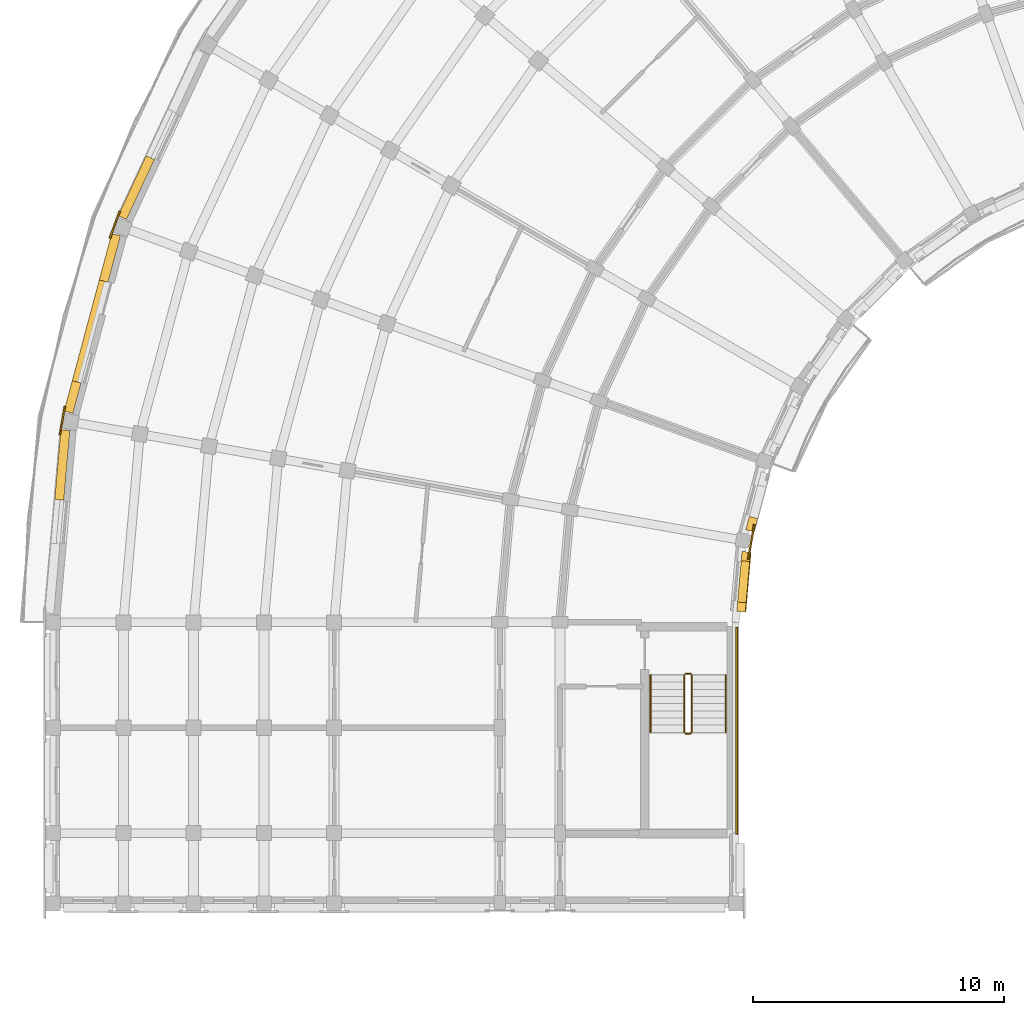
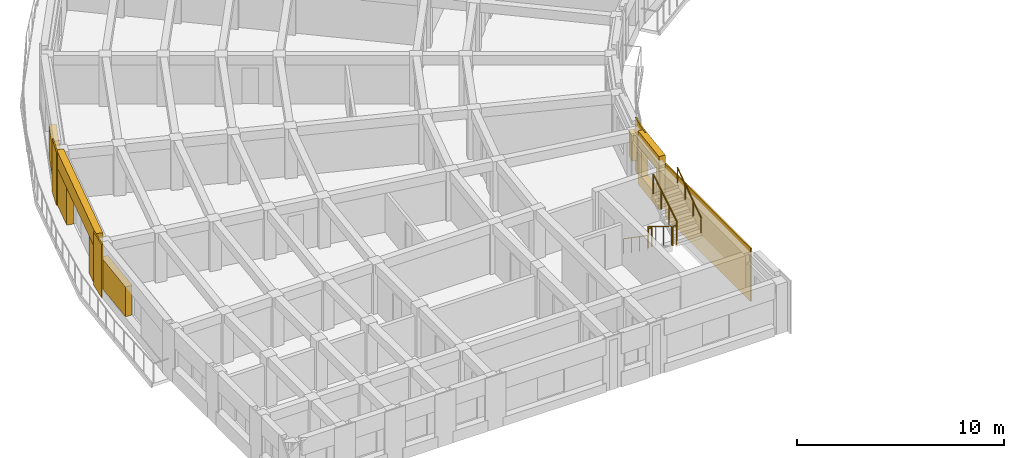
# One storey, part 31 of 41: 14 coverings, 6 railings.
"""IFC4 building model written with IfcOpenShell, lengths in metres."""

from ifc_helpers import new_model, si_unit, direction, frame, origin, origin_2d, place, context, subcontext, project, spatial, polyline, circle, outline, extrude, material, layer, layer_set, type_object, element, save


model = new_model("IFC4")

# Units and contexts
model_context = context("Model", 3, precision=1e-05, world=origin(), true_north=direction((0.0, 1.0)))
body_context = subcontext(model_context, "Body", "Model", "MODEL_VIEW")
ifc_project = project(units=[si_unit("LENGTHUNIT", "METRE"), si_unit("AREAUNIT", "SQUARE_METRE"), si_unit("VOLUMEUNIT", "CUBIC_METRE"), si_unit("PLANEANGLEUNIT", "RADIAN"), si_unit("MASSUNIT", "GRAM", prefix="KILO")], contexts=[model_context])

# Site, building, storey
site_placement = place(None, origin())
site = spatial("IfcSite", under=ifc_project, at=site_placement, CompositionType="ELEMENT")
building_placement = place(site_placement, origin())
building = spatial("IfcBuilding", under=site, at=building_placement, Name="Kiranvali Square Residences", CompositionType="ELEMENT")
storey_placement = place(building_placement, frame((0.0, 0.0, 33.89990234375)))
storey = spatial("IfcBuildingStorey", under=building, at=storey_placement, Name="L10", CompositionType="ELEMENT", Elevation=33.89990234375)

# Coverings
ifc_material_1 = material(Name="Honed Porbandar limestone ashlar facade cladding", Category="masonry")
ifc_layer_1 = layer(ifc_material_1, 0.3798828125)
ifc_layer_set_1 = layer_set([ifc_layer_1], Name="Honed Porbandar limestone ashlar facade cladding")
covering_type_1 = type_object("IfcCoveringType", Name="COV-CLAD-JAMB", PredefinedType="CLADDING", material=ifc_layer_set_1)
covering_1_placement = place(storey_placement, frame((0.0, 0.0, 0.422119140625)))
element("IfcCovering", 1, at=covering_1_placement, inside=storey, type_object=covering_type_1, Name="L10 deep limestone window jamb reveal A-L10-CRV-06.R", PredefinedType="CLADDING", context=body_context, shape_type="SweptSolid", body=[
    extrude(outline(polyline([(5.908935546875, 106.3896484375), (4.7958984375, 104.002197265625), (5.12158203125, 103.850341796875), (6.23486328125, 106.23779296875), (5.908935546875, 106.3896484375)])), origin(), (0.0, 0.0, 1.0), 1.85009765625),
])
covering_2_placement = place(storey_placement, origin())
element("IfcCovering", 2, at=covering_2_placement, inside=storey, type_object=covering_type_1, Name="L10 deep limestone window jamb reveal A-L10-CRV-07.L", PredefinedType="CLADDING", context=body_context, shape_type="SweptSolid", body=[
    extrude(outline(polyline([(4.535888671875, 103.2880859375), (4.041015625, 101.441650390625), (4.388427734375, 101.3486328125), (4.883056640625, 103.195068359375), (4.535888671875, 103.2880859375)])), origin(), (0.0, 0.0, 1.0), 2.18017578125),
])
covering_3_placement = place(storey_placement, origin())
element("IfcCovering", 3, at=covering_3_placement, inside=storey, type_object=covering_type_1, Name="L10 deep limestone window jamb reveal A-L10-CRV-07.R", PredefinedType="CLADDING", context=body_context, shape_type="SweptSolid", body=[
    extrude(outline(polyline([(2.9658203125, 97.42919921875), (2.6416015625, 96.218994140625), (2.989013671875, 96.1259765625), (3.313232421875, 97.336181640625), (2.9658203125, 97.42919921875)])), origin(), (0.0, 0.0, 1.0), 2.18017578125),
])
covering_4_placement = place(storey_placement, frame((0.0, 0.0, 0.522216796875)))
element("IfcCovering", 4, at=covering_4_placement, inside=storey, type_object=covering_type_1, Name="L10 deep limestone window jamb reveal A-L10-CRV-08.L", PredefinedType="CLADDING", context=body_context, shape_type="SweptSolid", body=[
    extrude(outline(polyline([(2.509765625, 95.470458984375), (2.26708984375, 92.697021484375), (2.625244140625, 92.66552734375), (2.867919921875, 95.439208984375), (2.509765625, 95.470458984375)])), origin(), (0.0, 0.0, 1.0), 1.75),
])
covering_5_placement = place(storey_placement, frame((0.0, 0.0, 0.772216796875)))
element("IfcCovering", 5, at=covering_5_placement, inside=storey, type_object=covering_type_1, Name="L10 deep limestone window jamb reveal A-L10-GDN-07.R", PredefinedType="CLADDING", context=body_context, shape_type="SweptSolid", body=[
    extrude(outline(polyline([(29.94189453125, 92.019287109375), (29.800048828125, 91.489501953125), (30.1279296875, 91.401611328125), (30.269775390625, 91.931396484375), (29.94189453125, 92.019287109375)])), origin(), (0.0, 0.0, 1.0), 1.5),
])
covering_6_placement = place(storey_placement, frame((0.0, 0.0, 0.672119140625)))
element("IfcCovering", 6, at=covering_6_placement, inside=storey, type_object=covering_type_1, Name="L10 deep limestone window jamb reveal A-L10-GDN-08.L", PredefinedType="CLADDING", context=body_context, shape_type="SweptSolid", body=[
    extrude(outline(polyline([(29.647705078125, 90.626220703125), (29.615234375, 90.254150390625), (29.953369140625, 90.224609375), (29.986083984375, 90.5966796875), (29.647705078125, 90.626220703125)])), origin(), (0.0, 0.0, 1.0), 1.60009765625),
])
covering_7_placement = place(storey_placement, frame((0.0, 0.0, 0.672119140625)))
element("IfcCovering", 7, at=covering_7_placement, inside=storey, type_object=covering_type_1, Name="L10 deep limestone window jamb reveal A-L10-GDN-08.R", PredefinedType="CLADDING", context=body_context, shape_type="SweptSolid", body=[
    extrude(outline(polyline([(29.471435546875, 88.6103515625), (29.43896484375, 88.23828125), (29.777099609375, 88.208740234375), (29.8095703125, 88.580810546875), (29.471435546875, 88.6103515625)])), origin(), (0.0, 0.0, 1.0), 1.60009765625),
])
ifc_layer_2 = layer(ifc_material_1, 0.06494140625)
ifc_layer_set_2 = layer_set([ifc_layer_2], Name="Honed Porbandar limestone ashlar facade cladding")
covering_type_2 = type_object("IfcCoveringType", Name="COV-CLAD-PIER", PredefinedType="CLADDING", material=ifc_layer_set_2)
covering_8_placement = place(storey_placement, frame((0.0, 0.0, 0.005126953125)))
element("IfcCovering", 8, at=covering_8_placement, inside=storey, type_object=covering_type_2, Name="L10 Classical limestone corner pilaster CLAD-PR-A-L10-A07", PredefinedType="CLADDING", context=body_context, shape_type="SweptSolid", body=[
    extrude(outline(polyline([(4.82666015625, 104.203857421875), (4.429931640625, 103.11376953125), (4.493408203125, 103.090576171875), (4.89013671875, 104.1806640625), (4.82666015625, 104.203857421875)])), origin(), (0.0, 0.0, 1.0), 3.139892578125),
])
covering_9_placement = place(storey_placement, frame((0.0, 0.0, 0.005126953125)))
element("IfcCovering", 9, at=covering_9_placement, inside=storey, type_object=covering_type_2, Name="L10 Classical limestone corner pilaster CLAD-PR-A-L10-A08", PredefinedType="CLADDING", context=body_context, shape_type="SweptSolid", body=[
    extrude(outline(polyline([(2.63720703125, 96.4228515625), (2.435791015625, 95.280517578125), (2.502197265625, 95.268798828125), (2.70361328125, 96.4111328125), (2.63720703125, 96.4228515625)])), origin(), (0.0, 0.0, 1.0), 3.139892578125),
])
covering_10_placement = place(storey_placement, frame((0.0, 0.0, 0.005126953125)))
element("IfcCovering", 10, at=covering_10_placement, inside=storey, type_object=covering_type_2, Name="Block A L10 Arm 2 stair limestone ashlar cladding", PredefinedType="CLADDING", context=body_context, shape_type="SweptSolid", body=[
    extrude(outline(polyline([(29.402099609375, 87.60009765625), (29.402099609375, 79.35009765625), (29.47998046875, 79.35009765625), (29.47998046875, 87.60009765625), (29.402099609375, 87.60009765625)])), origin(), (0.0, 0.0, 1.0), 3.139892578125),
])
ifc_layer_3 = layer(ifc_material_1, 0.050048828125)
ifc_layer_set_3 = layer_set([ifc_layer_3], Name="Honed Porbandar limestone ashlar facade cladding")
covering_type_3 = type_object("IfcCoveringType", Name="COV-CLAD-PIER-IN", PredefinedType="CLADDING", material=ifc_layer_set_3)
covering_11_placement = place(storey_placement, frame((0.0, 0.0, 0.005126953125)))
element("IfcCovering", 11, at=covering_11_placement, inside=storey, type_object=covering_type_3, Name="L10 Classical garden courtyard pilaster CLAD-PRIN-A-L10-A08", PredefinedType="CLADDING", context=body_context, shape_type="SweptSolid", body=[
    extrude(outline(polyline([(29.926513671875, 90.311279296875), (30.169677734375, 91.68994140625), (30.10302734375, 91.70166015625), (29.860107421875, 90.322998046875), (29.926513671875, 90.311279296875)])), origin(), (0.0, 0.0, 1.0), 3.139892578125),
])
ifc_layer_4 = layer(ifc_material_1, 0.360107421875)
ifc_layer_set_4 = layer_set([ifc_layer_4], Name="Honed Porbandar limestone ashlar facade cladding")
covering_type_4 = type_object("IfcCoveringType", Name="COV-CLAD-WALL", PredefinedType="CLADDING", material=ifc_layer_set_4)
covering_12_placement = place(storey_placement, frame((0.0, 0.0, 2.18017578125)))
element("IfcCovering", 12, at=covering_12_placement, inside=storey, type_object=covering_type_4, Name="L10 light limestone spandrel lintel A-L10-CRV-07", PredefinedType="CLADDING", context=body_context, shape_type="SweptSolid", body=[
    extrude(outline(polyline([(4.535888671875, 103.2880859375), (2.6416015625, 96.218994140625), (2.989013671875, 96.1259765625), (4.883056640625, 103.195068359375), (4.535888671875, 103.2880859375)])), origin(), (0.0, 0.0, 1.0), 0.96484375),
])
covering_13_placement = place(storey_placement, frame((0.0, 0.0, 2.272216796875)))
element("IfcCovering", 13, at=covering_13_placement, inside=storey, type_object=covering_type_4, Name="L10 light limestone spandrel lintel A-L10-GDN-08", PredefinedType="CLADDING", context=body_context, shape_type="SweptSolid", body=[
    extrude(outline(polyline([(29.647705078125, 90.626220703125), (29.43896484375, 88.23828125), (29.777099609375, 88.208740234375), (29.986083984375, 90.5966796875), (29.647705078125, 90.626220703125)])), origin(), (0.0, 0.0, 1.0), 0.872802734375),
])
ifc_layer_5 = layer(ifc_material_1, 0.320068359375)
ifc_layer_set_5 = layer_set([ifc_layer_5], Name="Honed Porbandar limestone ashlar facade cladding")
covering_type_5 = type_object("IfcCoveringType", Name="COV-CLAD-WALL-UP", PredefinedType="CLADDING", material=ifc_layer_set_5)
covering_14_placement = place(storey_placement, frame((0.0, 0.0, 0.005126953125)))
element("IfcCovering", 14, at=covering_14_placement, inside=storey, type_object=covering_type_5, Name="L10 limestone window sill apron A-L10-GDN-08", PredefinedType="CLADDING", context=body_context, shape_type="SweptSolid", body=[
    extrude(outline(polyline([(29.647705078125, 90.626220703125), (29.43896484375, 88.23828125), (29.806884765625, 88.2060546875), (30.015869140625, 90.593994140625), (29.647705078125, 90.626220703125)])), origin(), (0.0, 0.0, 1.0), 0.6669921875),
])

# Railings
ifc_material_2 = material(Name="Brushed stainless steel tubular handrail", Category="steel")
railing_type_1 = type_object("IfcRailingType", Name="RL-HANDRAIL-900", PredefinedType="HANDRAIL", material=ifc_material_2)
railing_1_placement = place(storey_placement, frame((26.0, 85.699951171875, 0.175048828125)))
element("IfcRailing", 15, at=railing_1_placement, inside=storey, type_object=railing_type_1, Name="L10 ST-A3 stair handrail 1", PredefinedType="HANDRAIL", context=body_context, shape_type="SweptSolid", body=[
    extrude(circle(Radius=0.02392578125, at=origin_2d()), frame((0.0, 0.0, 0.8759765625), z_axis=(0.0, -0.82278801735, 0.568348377763), x_axis=(1.0, 0.0, 0.0)), (0.0, 0.0, 1.0), 2.77099609375),
    extrude(circle(Radius=0.02099609375, at=origin_2d()), origin(), (0.0, 0.0, 1.0), 0.851806640625),
    extrude(circle(Radius=0.02099609375, at=origin_2d()), frame((0.0, -0.760009765625, 0.52490234375)), (0.0, 0.0, 1.0), 0.851806640625),
    extrude(circle(Radius=0.02099609375, at=origin_2d()), frame((0.0, -1.52001953125, 1.050048828125)), (0.0, 0.0, 1.0), 0.851806640625),
    extrude(circle(Radius=0.02099609375, at=origin_2d()), frame((0.0, -2.280029296875, 1.574951171875)), (0.0, 0.0, 1.0), 0.851806640625),
])
railing_2_placement = place(storey_placement, frame((29.0, 83.419921875, 1.75)))
element("IfcRailing", 16, at=railing_2_placement, inside=storey, type_object=railing_type_1, Name="L10 ST-A3 stair handrail 2", PredefinedType="HANDRAIL", context=body_context, shape_type="SweptSolid", body=[
    extrude(circle(Radius=0.02392578125, at=origin_2d()), frame((0.0, 0.0, 0.8759765625), z_axis=(0.0, 0.82274681792, 0.568408016835), x_axis=(-1.0, 0.0, 0.0)), (0.0, 0.0, 1.0), 2.771240234375),
    extrude(circle(Radius=0.02099609375, at=origin_2d()), origin(), (0.0, 0.0, 1.0), 0.851806640625),
    extrude(circle(Radius=0.02099609375, at=origin_2d()), frame((0.0, 0.760009765625, 0.525146484375)), (0.0, 0.0, 1.0), 0.851806640625),
    extrude(circle(Radius=0.02099609375, at=origin_2d()), frame((0.0, 1.52001953125, 1.050048828125)), (0.0, 0.0, 1.0), 0.851806640625),
    extrude(circle(Radius=0.02099609375, at=origin_2d()), frame((0.0, 2.280029296875, 1.5751953125)), (0.0, 0.0, 1.0), 0.851806640625),
])
ifc_material_3 = material(Name="Powder-coated architectural bronze balustrade", Category="steel")
railing_type_2 = type_object("IfcRailingType", Name="RL-ST-GUARD-1200", PredefinedType="GUARDRAIL", material=ifc_material_3)
railing_3_placement = place(storey_placement, frame((27.35009765625, 85.699951171875, 0.175048828125)))
element("IfcRailing", 17, at=railing_3_placement, inside=storey, type_object=railing_type_2, Name="L10 ST-A3 stair guard 1", PredefinedType="GUARDRAIL", context=body_context, shape_type="SweptSolid", body=[
    extrude(circle(Radius=0.02392578125, at=origin_2d()), frame((0.0, 0.0, 1.1259765625), z_axis=(0.0, -0.852149810458, 0.523297908018), x_axis=(1.0, 0.0, 0.0)), (0.0, 0.0, 1.0), 2.675537109375),
    extrude(circle(Radius=0.02099609375, at=origin_2d()), origin(), (0.0, 0.0, 1.0), 1.101806640625),
    extrude(circle(Radius=0.02099609375, at=origin_2d()), frame((0.0, -0.760009765625, 0.466796875)), (0.0, 0.0, 1.0), 1.101806640625),
    extrude(circle(Radius=0.02099609375, at=origin_2d()), frame((0.0, -1.52001953125, 0.933349609375)), (0.0, 0.0, 1.0), 1.101806640625),
    extrude(circle(Radius=0.02099609375, at=origin_2d()), frame((0.0, -2.280029296875, 1.400146484375)), (0.0, 0.0, 1.0), 1.101806640625),
])
railing_4_placement = place(storey_placement, frame((27.39990234375, 83.3701171875, 1.5751953125)))
element("IfcRailing", 18, at=railing_4_placement, inside=storey, type_object=railing_type_2, Name="L10 ST-A3 stair guard 2", PredefinedType="GUARDRAIL", context=body_context, shape_type="SweptSolid", body=[
    extrude(circle(Radius=0.02392578125, at=origin_2d()), frame((0.0, 0.0, 1.1259765625), z_axis=(1.0, 0.0, 0.0), x_axis=(0.0, 1.0, 0.0)), (0.0, 0.0, 1.0), 0.2001953125),
    extrude(circle(Radius=0.02099609375, at=origin_2d()), origin(), (0.0, 0.0, 1.0), 1.101806640625),
    extrude(circle(Radius=0.02099609375, at=origin_2d()), frame((0.2001953125, 0.0, 0.0)), (0.0, 0.0, 1.0), 1.101806640625),
])
railing_5_placement = place(storey_placement, frame((27.64990234375, 83.419921875, 1.75)))
element("IfcRailing", 19, at=railing_5_placement, inside=storey, type_object=railing_type_2, Name="L10 ST-A3 stair guard 3", PredefinedType="GUARDRAIL", context=body_context, shape_type="SweptSolid", body=[
    extrude(circle(Radius=0.02392578125, at=origin_2d()), frame((0.0, 0.0, 1.1259765625), z_axis=(0.0, 0.852149810458, 0.523297908018), x_axis=(-1.0, 0.0, 0.0)), (0.0, 0.0, 1.0), 2.675537109375),
    extrude(circle(Radius=0.02099609375, at=origin_2d()), origin(), (0.0, 0.0, 1.0), 1.101806640625),
    extrude(circle(Radius=0.02099609375, at=origin_2d()), frame((0.0, 0.760009765625, 0.466796875)), (0.0, 0.0, 1.0), 1.101806640625),
    extrude(circle(Radius=0.02099609375, at=origin_2d()), frame((0.0, 1.52001953125, 0.933349609375)), (0.0, 0.0, 1.0), 1.101806640625),
    extrude(circle(Radius=0.02099609375, at=origin_2d()), frame((0.0, 2.280029296875, 1.400146484375)), (0.0, 0.0, 1.0), 1.101806640625),
])
railing_6_placement = place(storey_placement, frame((27.39990234375, 85.75, 0.0)))
element("IfcRailing", 20, at=railing_6_placement, inside=storey, type_object=railing_type_2, Name="L10 ST-A3 stair guard 4", PredefinedType="GUARDRAIL", context=body_context, shape_type="SweptSolid", body=[
    extrude(circle(Radius=0.02392578125, at=origin_2d()), frame((0.0, 0.0, 1.1259765625), z_axis=(1.0, 0.0, 0.0), x_axis=(0.0, 1.0, 0.0)), (0.0, 0.0, 1.0), 0.2001953125),
    extrude(circle(Radius=0.02099609375, at=origin_2d()), origin(), (0.0, 0.0, 1.0), 1.101806640625),
    extrude(circle(Radius=0.02099609375, at=origin_2d()), frame((0.2001953125, 0.0, 0.0)), (0.0, 0.0, 1.0), 1.101806640625),
])

save(model, "model.ifc")
